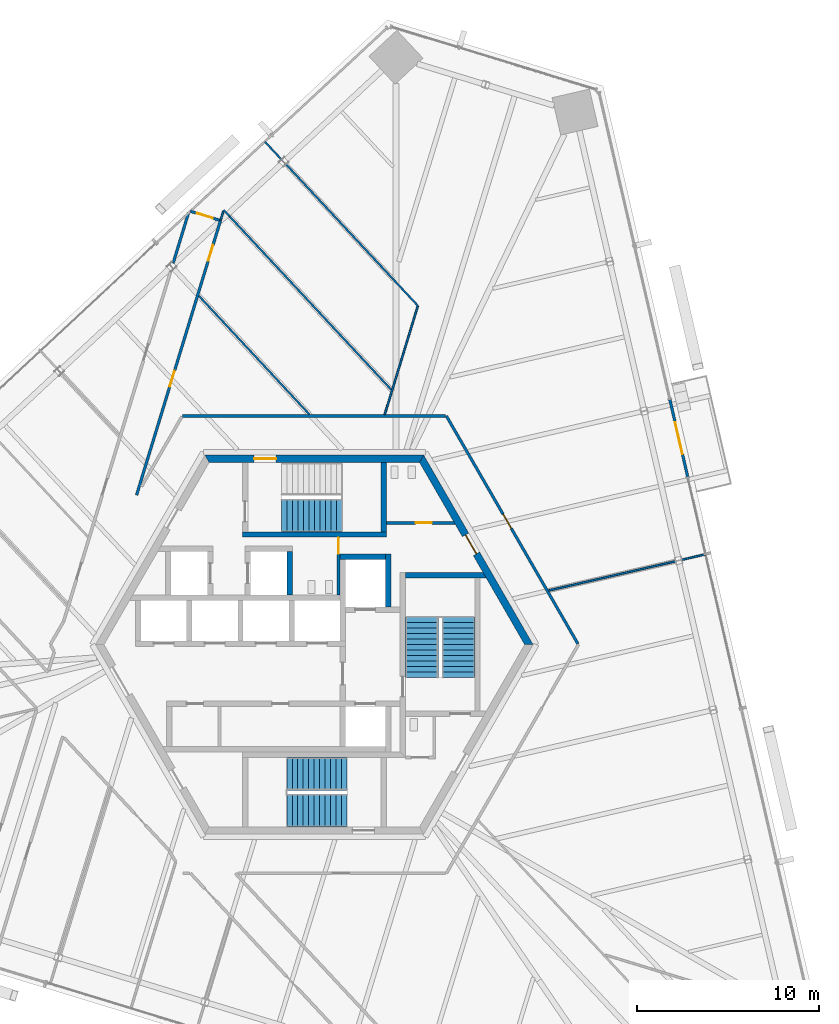
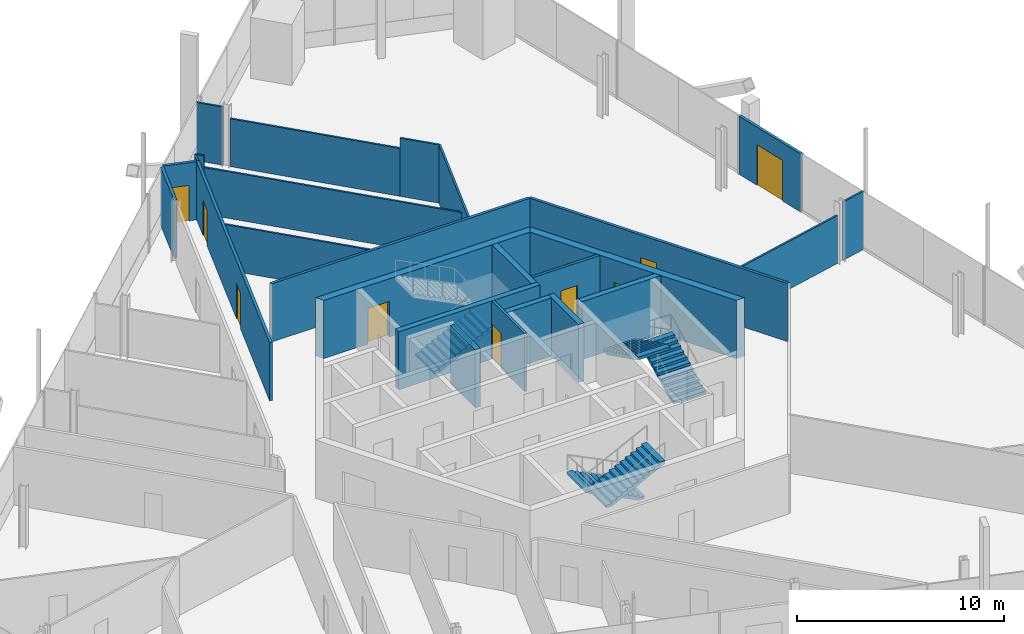
# One storey, part 15 of 23: 26 walls, 9 doors, 5 stair flights, 9 openings, 3 elements without a shape of their own.
"""IFC4 building model written with IfcOpenShell, lengths in metres."""

from ifc_helpers import new_model, si_unit, direction, frame, frame_2d, origin, place, context, subcontext, project, spatial, polyline, rectangle, outline, extrude, source, transform, mapped, material, layer, layer_set, type_object, element, fill, aggregate, save


model = new_model("IFC4")

# Units and contexts
model_context = context("Model", 3, precision=1e-05, world=origin(), true_north=direction((0.0, 1.0)))
body_context = subcontext(model_context, "Body", "Model", "MODEL_VIEW")
ifc_project = project(units=[si_unit("LENGTHUNIT", "METRE"), si_unit("AREAUNIT", "SQUARE_METRE"), si_unit("VOLUMEUNIT", "CUBIC_METRE"), si_unit("PLANEANGLEUNIT", "RADIAN"), si_unit("MASSUNIT", "GRAM", prefix="KILO")], contexts=[model_context])

# Site, building, storey
site_placement = place(None, origin())
site = spatial("IfcSite", under=ifc_project, at=site_placement, CompositionType="ELEMENT")
building_placement = place(site_placement, origin())
building = spatial("IfcBuilding", under=site, at=building_placement, Name="Triune Harvest Tower", CompositionType="ELEMENT")
storey_placement = place(building_placement, frame((0.0, 0.0, 105.5)))
storey = spatial("IfcBuildingStorey", under=building, at=storey_placement, Name="L26", CompositionType="ELEMENT", Elevation=105.5)

# Wall, opening, door
ifc_material_1 = material(Name="Gypsum board on steel studs", Category="steel")
ifc_layer_1 = layer(ifc_material_1, 0.14990234375)
ifc_layer_set_1 = layer_set([ifc_layer_1], Name="Gypsum board on steel studs")
wall_type_1 = type_object("IfcWallType", Name="Fire Partition 150 mm", PredefinedType="PARTITIONING", material=ifc_layer_set_1)
wall_1_placement = place(storey_placement, frame((-6.8037109375, 23.76953125, 0.0), z_axis=(0.0, 0.0, 1.0), x_axis=(0.956316476972, -0.292333364282, 0.0)))
wall_1 = element("IfcWall", 1, at=wall_1_placement, inside=storey, type_object=wall_type_1, Name="Partition L26 025", PredefinedType="PARTITIONING", context=body_context, shape_type="SweptSolid", body=[
    extrude(rectangle(XDim=1.674560546875, YDim=0.14990234375, at=frame_2d((0.83740234375, 0.0))), origin(), (0.0, 0.0, 1.0), 3.43994140625),
])
opening_1_placement = place(wall_1_placement, frame((0.384521484375, 0.0, 0.0)))
opening_1 = element("IfcOpeningElement", 2, at=opening_1_placement, cuts=wall_1, Name="Opening L26-004", PredefinedType="OPENING", context=body_context, shape_type="SweptSolid", body=[
    extrude(rectangle(XDim=0.89990234375, YDim=2.10009765625, at=frame_2d((0.449951171875, 1.050048828125))), frame((0.0, 0.0849609375, 0.0), z_axis=(0.0, -1.0, 0.0), x_axis=(1.0, 0.0, 0.0)), (0.0, 0.0, 1.0), 0.169921875),
])
ifc_material_2 = material(Name="Timber and steel door set", Category="steel")
door_type_1 = type_object("IfcDoorType", Name="Single leaf door FD30 left hand 900 x 2100", OperationType="SINGLE_SWING_LEFT", PredefinedType="DOOR", material=ifc_material_2)
door_1_placement = place(opening_1_placement, origin())
door_1 = element("IfcDoor", 3, at=door_1_placement, inside=storey, type_object=door_type_1, Name="Door L26-004 Pantry 26.04", OperationType="SINGLE_SWING_LEFT", OverallHeight=2.10009765625, OverallWidth=0.89990234375, PredefinedType="DOOR", context=body_context, shape_type="SweptSolid", body=[
    extrude(rectangle(XDim=0.89990234375, YDim=2.10009765625, at=frame_2d((0.449951171875, 1.050048828125))), frame((0.0, 0.02490234375, 0.0), z_axis=(0.0, -1.0, 0.0), x_axis=(1.0, 0.0, 0.0)), (0.0, 0.0, 1.0), 0.050048828125),
])
fill(opening_1, door_1)

# Wall, openings, doors
wall_2_placement = place(storey_placement, frame((-9.75, 8.2001953125, 0.0), z_axis=(0.0, 0.0, 1.0), x_axis=(0.292356758053, 0.956309325491, 0.0)))
wall_2 = element("IfcWall", 4, at=wall_2_placement, inside=storey, type_object=wall_type_1, Name="Partition L26 044", PredefinedType="PARTITIONING", context=body_context, shape_type="SweptSolid", body=[
    extrude(rectangle(XDim=15.75048828125, YDim=0.14990234375, at=frame_2d((7.875244140625, 0.0))), origin(), (0.0, 0.0, 1.0), 3.43994140625),
])
opening_2_placement = place(wall_2_placement, frame((13.4423828125, 0.0, 0.0)))
opening_2 = element("IfcOpeningElement", 5, at=opening_2_placement, cuts=wall_2, Name="Opening L26-003", PredefinedType="OPENING", context=body_context, shape_type="SweptSolid", body=[
    extrude(rectangle(XDim=0.89990234375, YDim=2.10009765625, at=frame_2d((0.449951171875, 1.050048828125))), frame((0.0, 0.0849609375, 0.0), z_axis=(0.0, -1.0, 0.0), x_axis=(1.0, 0.0, 0.0)), (0.0, 0.0, 1.0), 0.169921875),
])
opening_3_placement = place(wall_2_placement, frame((6.226318359375, 0.0, 0.0)))
opening_3 = element("IfcOpeningElement", 6, at=opening_3_placement, cuts=wall_2, Name="Opening L26-006", PredefinedType="OPENING", context=body_context, shape_type="SweptSolid", body=[
    extrude(rectangle(XDim=0.89990234375, YDim=2.10009765625, at=frame_2d((0.449951171875, 1.050048828125))), frame((0.0, 0.0849609375, 0.0), z_axis=(0.0, -1.0, 0.0), x_axis=(1.0, 0.0, 0.0)), (0.0, 0.0, 1.0), 0.169921875),
])
door_2_placement = place(opening_2_placement, origin())
door_2 = element("IfcDoor", 7, at=door_2_placement, inside=storey, type_object=door_type_1, Name="Door L26-003 Project Room 26.03", OperationType="SINGLE_SWING_LEFT", OverallHeight=2.10009765625, OverallWidth=0.89990234375, PredefinedType="DOOR", context=body_context, shape_type="SweptSolid", body=[
    extrude(rectangle(XDim=0.89990234375, YDim=2.10009765625, at=frame_2d((0.449951171875, 1.050048828125))), frame((0.0, 0.02490234375, 0.0), z_axis=(0.0, -1.0, 0.0), x_axis=(1.0, 0.0, 0.0)), (0.0, 0.0, 1.0), 0.050048828125),
])
fill(opening_2, door_2)
ifc_material_3 = material(Name="Timber and steel door set", Category="steel")
door_type_2 = type_object("IfcDoorType", Name="Single leaf door FD30 right hand 900 x 2100", OperationType="SINGLE_SWING_RIGHT", PredefinedType="DOOR", material=ifc_material_3)
door_3_placement = place(opening_3_placement, origin())
door_3 = element("IfcDoor", 8, at=door_3_placement, inside=storey, type_object=door_type_2, Name="Door L26-006 Office 26.06", OperationType="SINGLE_SWING_RIGHT", OverallHeight=2.10009765625, OverallWidth=0.89990234375, PredefinedType="DOOR", context=body_context, shape_type="SweptSolid", body=[
    extrude(rectangle(XDim=0.89990234375, YDim=2.10009765625, at=frame_2d((0.449951171875, 1.050048828125))), frame((0.0, 0.02490234375, 0.0), z_axis=(0.0, -1.0, 0.0), x_axis=(1.0, 0.0, 0.0)), (0.0, 0.0, 1.0), 0.050048828125),
])
fill(opening_3, door_3)

# Walls
ifc_material_4 = material(Name="Gypsum board on steel studs", Category="steel")
ifc_layer_2 = layer(ifc_material_4, 0.10009765625)
ifc_layer_set_2 = layer_set([ifc_layer_2], Name="Gypsum board on steel studs")
wall_type_2 = type_object("IfcWallType", Name="Partition 100 mm", PredefinedType="PARTITIONING", material=ifc_layer_set_2)
wall_3_placement = place(storey_placement, frame((-4.9697265625, 23.836181640625, 0.0), z_axis=(0.0, 0.0, 1.0), x_axis=(0.682206914236, -0.731159166097, 0.0)))
element("IfcWall", 9, at=wall_3_placement, inside=storey, type_object=wall_type_2, Name="Partition L26 018", PredefinedType="PARTITIONING", context=body_context, shape_type="SweptSolid", body=[
    extrude(rectangle(XDim=0.46875, YDim=0.10009765625, at=frame_2d((0.234375, 0.0))), origin(), (0.0, 0.0, 1.0), 3.43994140625),
])
wall_4_placement = place(storey_placement, frame((-4.64990234375, 23.493408203125, 0.0), z_axis=(0.0, 0.0, 1.0), x_axis=(0.681992633426, -0.731359041752, 0.0)))
element("IfcWall", 10, at=wall_4_placement, inside=storey, type_object=wall_type_2, Name="Partition L26 018a", PredefinedType="PARTITIONING", context=body_context, shape_type="SweptSolid", body=[
    extrude(rectangle(XDim=13.06591796875, YDim=0.10009765625, at=frame_2d((6.532958984375, 0.0))), origin(), (0.0, 0.0, 1.0), 2.7568359375),
])
wall_5_placement = place(storey_placement, frame((3.85498046875, 12.609130859375, 0.0), z_axis=(0.0, 0.0, 1.0), x_axis=(0.292357980238, 0.956308951852, 0.0)))
element("IfcWall", 11, at=wall_5_placement, inside=storey, type_object=wall_type_2, Name="Partition L26 039", PredefinedType="PARTITIONING", context=body_context, shape_type="SweptSolid", body=[
    extrude(rectangle(XDim=6.22705078125, YDim=0.10009765625, at=frame_2d((3.113525390625, 0.0))), origin(), (0.0, 0.0, 1.0), 3.43994140625),
])
wall_6_placement = place(storey_placement, frame((-5.14501953125, 23.262939453125, 0.0), z_axis=(0.0, 0.0, 1.0), x_axis=(0.292528662216, 0.956256755156, 0.0)))
element("IfcWall", 12, at=wall_6_placement, inside=storey, type_object=wall_type_2, Name="Partition L26 045", PredefinedType="PARTITIONING", context=body_context, shape_type="SweptSolid", body=[
    extrude(rectangle(XDim=0.5400390625, YDim=0.10009765625, at=frame_2d((0.27001953125, 0.0))), origin(), (0.0, 0.0, 1.0), 3.43994140625),
])

# Wall, opening, door
ifc_material_5 = material(Name="Concrete 70 MPa", Category="concrete")
ifc_layer_3 = layer(ifc_material_5, 0.39990234375)
ifc_layer_set_3 = layer_set([ifc_layer_3], Name="Concrete 70 MPa")
wall_type_3 = type_object("IfcWallType", Name="Core wall 400", PredefinedType="SHEAR", material=ifc_layer_set_3)
shared_shape_1 = source(origin(), body_context, "Body", "SweptSolid", [
    extrude(outline(polyline([(-0.115478515625, -0.199951171875), (11.884521484375, -0.199951171875), (11.653564453125, 0.199951171875), (0.115478515625, 0.199951171875), (-0.115478515625, -0.199951171875)])), origin(), (0.0, 0.0, 1.0), 3.43994140625),
])
wall_7_placement = place(storey_placement, frame((11.76904296875, 0.0, 0.0), z_axis=(0.0, 0.0, 1.0), x_axis=(-0.499996592174, 0.866027371285, 0.0)))
wall_7 = element("IfcWall", 13, at=wall_7_placement, inside=storey, type_object=wall_type_3, Name="Hexagon 0 wall", PredefinedType="SHEAR", context=body_context, shape_type="MappedRepresentation", body=[
    mapped(shared_shape_1, transform((0.0, 0.0, 0.0), scale=1.0)),
])
opening_4_placement = place(wall_7_placement, frame((5.75048828125, 0.0, 0.0)))
opening_4 = element("IfcOpeningElement", 14, at=opening_4_placement, cuts=wall_7, Name="Opening CD-WCP", PredefinedType="OPENING", context=body_context, shape_type="SweptSolid", body=[
    extrude(rectangle(XDim=1.199951171875, YDim=2.10009765625, at=frame_2d((0.60009765625, 1.050048828125))), frame((0.0, 0.2099609375, 0.0), z_axis=(0.0, -1.0, 0.0), x_axis=(1.0, 0.0, 0.0)), (0.0, 0.0, 1.0), 0.419921875),
])
ifc_material_6 = material(Name="Steel S235", Category="steel")
door_type_3 = type_object("IfcDoorType", Name="Lobby door 1200 FD120", OperationType="SINGLE_SWING_LEFT", PredefinedType="DOOR", material=ifc_material_6)
door_4_placement = place(opening_4_placement, frame((1.199951171875, 0.0, 0.0), z_axis=(0.0, 0.0, 1.0), x_axis=(-1.0, 0.0, 0.0)))
door_4 = element("IfcDoor", 15, at=door_4_placement, inside=storey, type_object=door_type_3, Name="Door CD-WCP", OperationType="SINGLE_SWING_RIGHT", OverallHeight=2.10009765625, OverallWidth=1.199951171875, PredefinedType="DOOR", context=body_context, shape_type="SweptSolid", body=[
    extrude(rectangle(XDim=1.199951171875, YDim=2.10009765625, at=frame_2d((0.60009765625, 1.050048828125))), frame((0.0, 0.02490234375, 0.0), z_axis=(0.0, -1.0, 0.0), x_axis=(1.0, 0.0, 0.0)), (0.0, 0.0, 1.0), 0.050048828125),
])
fill(opening_4, door_4)

wall_8_placement = place(storey_placement, frame((5.884521484375, 10.1923828125, 0.0), z_axis=(0.0, 0.0, 1.0), x_axis=(-1.0, 0.0, 0.0)))
wall_8 = element("IfcWall", 16, at=wall_8_placement, inside=storey, type_object=wall_type_3, Name="Hexagon 1 wall", PredefinedType="SHEAR", context=body_context, shape_type="MappedRepresentation", body=[
    mapped(shared_shape_1, transform((0.0, 0.0, 0.0), scale=1.0)),
])
opening_5_placement = place(wall_8_placement, frame((7.984619140625, 0.0, 0.0)))
opening_5 = element("IfcOpeningElement", 17, at=opening_5_placement, cuts=wall_8, Name="Opening CD-S1P", PredefinedType="OPENING", context=body_context, shape_type="SweptSolid", body=[
    extrude(rectangle(XDim=1.199951171875, YDim=2.10009765625, at=frame_2d((0.60009765625, 1.050048828125))), frame((0.0, 0.2099609375, 0.0), z_axis=(0.0, -1.0, 0.0), x_axis=(1.0, 0.0, 0.0)), (0.0, 0.0, 1.0), 0.419921875),
])
ifc_material_7 = material(Name="Steel S235", Category="steel")
door_type_4 = type_object("IfcDoorType", Name="Stair door 1200 FD120", OperationType="SINGLE_SWING_LEFT", PredefinedType="DOOR", material=ifc_material_7)
door_5_placement = place(opening_5_placement, frame((1.199951171875, 0.0, 0.0), z_axis=(0.0, 0.0, 1.0), x_axis=(-1.0, 0.0, 0.0)))
door_5 = element("IfcDoor", 18, at=door_5_placement, inside=storey, type_object=door_type_4, Name="Door CD-S1P", OperationType="SINGLE_SWING_RIGHT", OverallHeight=2.10009765625, OverallWidth=1.199951171875, PredefinedType="DOOR", context=body_context, shape_type="SweptSolid", body=[
    extrude(rectangle(XDim=1.199951171875, YDim=2.10009765625, at=frame_2d((0.60009765625, 1.050048828125))), frame((0.0, 0.02490234375, 0.0), z_axis=(0.0, -1.0, 0.0), x_axis=(1.0, 0.0, 0.0)), (0.0, 0.0, 1.0), 0.050048828125),
])
fill(opening_5, door_5)

# Walls
ifc_material_8 = material(Name="Concrete 70 MPa", Category="concrete")
ifc_layer_4 = layer(ifc_material_8, 0.300048828125)
ifc_layer_set_4 = layer_set([ifc_layer_4], Name="Concrete 70 MPa")
wall_type_4 = type_object("IfcWallType", Name="Core wall 300", PredefinedType="SHEAR", material=ifc_layer_set_4)
shared_shape_2 = source(origin(), body_context, "Body", "SweptSolid", [
    extrude(rectangle(XDim=2.5, YDim=0.300048828125, at=frame_2d((1.25, 0.0))), origin(), (0.0, 0.0, 1.0), 3.43994140625),
])
wall_9_placement = place(storey_placement, frame((1.39990234375, 4.81005859375, 0.0), z_axis=(0.0, 0.0, 1.0), x_axis=(1.0, 0.0, 0.0)))
element("IfcWall", 19, at=wall_9_placement, inside=storey, type_object=wall_type_4, Name="Ff1 back wall", PredefinedType="SHEAR", context=body_context, shape_type="MappedRepresentation", body=[
    mapped(shared_shape_2, transform((0.0, 0.0, 0.0), scale=1.0)),
])
shared_shape_3 = source(origin(), body_context, "Body", "SweptSolid", [
    extrude(rectangle(XDim=2.89990234375, YDim=0.300048828125, at=frame_2d((1.449951171875, 0.0))), origin(), (0.0, 0.0, 1.0), 3.43994140625),
])
wall_10_placement = place(storey_placement, frame((4.050048828125, 2.06005859375, 0.0), z_axis=(0.0, 0.0, 1.0), x_axis=(0.0, 1.0, 0.0)))
element("IfcWall", 20, at=wall_10_placement, inside=storey, type_object=wall_type_4, Name="Ff1 east wall", PredefinedType="SHEAR", context=body_context, shape_type="MappedRepresentation", body=[
    mapped(shared_shape_3, transform((0.0, 0.0, 0.0), scale=1.0)),
])
shared_shape_4 = source(origin(), body_context, "Body", "SweptSolid", [
    extrude(outline(polyline([(0.0, -0.14990234375), (0.0, 0.14990234375), (4.260009765625, 0.14990234375), (4.43310546875, -0.14990234375), (0.0, -0.14990234375)])), origin(), (0.0, 0.0, 1.0), 3.43994140625),
])
wall_11_placement = place(storey_placement, frame((5.0, 3.800048828125, 0.0), z_axis=(0.0, 0.0, 1.0), x_axis=(1.0, 0.0, 0.0)))
element("IfcWall", 21, at=wall_11_placement, inside=storey, type_object=wall_type_4, Name="Stair e north wall", PredefinedType="SHEAR", context=body_context, shape_type="MappedRepresentation", body=[
    mapped(shared_shape_4, transform((0.0, 0.0, 0.0), scale=1.0)),
])
shared_shape_5 = source(origin(), body_context, "Body", "SweptSolid", [
    extrude(rectangle(XDim=7.89990234375, YDim=0.300048828125, at=frame_2d((3.949951171875, 0.0))), origin(), (0.0, 0.0, 1.0), 3.43994140625),
])
wall_12_placement = place(storey_placement, frame((-3.949951171875, 6.0400390625, 0.0), z_axis=(0.0, 0.0, 1.0), x_axis=(1.0, 0.0, 0.0)))
element("IfcWall", 22, at=wall_12_placement, inside=storey, type_object=wall_type_4, Name="Stair n south wall", PredefinedType="SHEAR", context=body_context, shape_type="MappedRepresentation", body=[
    mapped(shared_shape_5, transform((0.0, 0.0, 0.0), scale=1.0)),
])
shared_shape_6 = source(origin(), body_context, "Body", "SweptSolid", [
    extrude(outline(polyline([(0.0, -0.14990234375), (0.0, 0.14990234375), (3.80419921875, 0.14990234375), (3.80419921875, -0.14990234375), (0.0, -0.14990234375)])), origin(), (0.0, 0.0, 1.0), 3.43994140625),
])
wall_13_placement = place(storey_placement, frame((3.800048828125, 6.18994140625, 0.0), z_axis=(0.0, 0.0, 1.0), x_axis=(0.0, 1.0, 0.0)))
element("IfcWall", 23, at=wall_13_placement, inside=storey, type_object=wall_type_4, Name="Stair n east wall", PredefinedType="SHEAR", context=body_context, shape_type="MappedRepresentation", body=[
    mapped(shared_shape_6, transform((0.0, 0.0, 0.0), scale=1.0)),
])
shared_shape_7 = source(origin(), body_context, "Body", "SweptSolid", [
    extrude(rectangle(XDim=2.400146484375, YDim=0.300048828125, at=frame_2d((1.2001953125, 0.0))), origin(), (0.0, 0.0, 1.0), 3.43994140625),
])
wall_14_placement = place(storey_placement, frame((-1.35009765625, 2.7099609375, 0.0), z_axis=(0.0, 0.0, 1.0), x_axis=(0.0, 1.0, 0.0)))
element("IfcWall", 24, at=wall_14_placement, inside=storey, type_object=wall_type_4, Name="Sv2 east wall", PredefinedType="SHEAR", context=body_context, shape_type="MappedRepresentation", body=[
    mapped(shared_shape_7, transform((0.0, 0.0, 0.0), scale=1.0)),
])

# Wall, opening, door
ifc_material_9 = material(Name="Concrete masonry unit", Category="masonry")
ifc_layer_5 = layer(ifc_material_9, 0.14990234375)
ifc_layer_set_5 = layer_set([ifc_layer_5], Name="Concrete masonry unit")
wall_type_5 = type_object("IfcWallType", Name="Block partition 150 unrated", PredefinedType="PARTITIONING", material=ifc_layer_set_5)
shared_shape_8 = source(origin(), body_context, "Body", "SweptSolid", [
    extrude(rectangle(XDim=3.179931640625, YDim=0.14990234375, at=frame_2d((1.58984375, 0.0))), origin(), (0.0, 0.0, 1.0), 3.43994140625),
])
wall_15_placement = place(storey_placement, frame((1.324951171875, 2.7099609375, 0.0), z_axis=(0.0, 0.0, 1.0), x_axis=(0.0, 1.0, 0.0)))
wall_15 = element("IfcWall", 25, at=wall_15_placement, inside=storey, type_object=wall_type_5, Name="Wc men east wall", PredefinedType="PARTITIONING", context=body_context, shape_type="MappedRepresentation", body=[
    mapped(shared_shape_8, transform((0.0, 0.0, 0.0), scale=1.0)),
])
opening_6_placement = place(wall_15_placement, frame((2.264892578125, 0.0, 0.0)))
opening_6 = element("IfcOpeningElement", 26, at=opening_6_placement, cuts=wall_15, Name="Opening CD-WM", PredefinedType="OPENING", context=body_context, shape_type="SweptSolid", body=[
    extrude(rectangle(XDim=0.89990234375, YDim=2.10009765625, at=frame_2d((0.449951171875, 1.050048828125))), frame((0.0, 0.0849609375, 0.0), z_axis=(0.0, -1.0, 0.0), x_axis=(1.0, 0.0, 0.0)), (0.0, 0.0, 1.0), 0.169921875),
])
ifc_material_10 = material(Name="Timber C24", Category="wood")
door_type_5 = type_object("IfcDoorType", Name="WC door 900", OperationType="SINGLE_SWING_LEFT", PredefinedType="DOOR", material=ifc_material_10)
door_6_placement = place(opening_6_placement, origin())
door_6 = element("IfcDoor", 27, at=door_6_placement, inside=storey, type_object=door_type_5, Name="Door CD-WM", OperationType="SINGLE_SWING_LEFT", OverallHeight=2.10009765625, OverallWidth=0.89990234375, PredefinedType="DOOR", context=body_context, shape_type="SweptSolid", body=[
    extrude(rectangle(XDim=0.89990234375, YDim=2.10009765625, at=frame_2d((0.449951171875, 1.050048828125))), frame((0.0, 0.02490234375, 0.0), z_axis=(0.0, -1.0, 0.0), x_axis=(1.0, 0.0, 0.0)), (0.0, 0.0, 1.0), 0.050048828125),
])
fill(opening_6, door_6)

shared_shape_9 = source(origin(), body_context, "Body", "SweptSolid", [
    extrude(outline(polyline([(0.0, -0.074951171875), (0.0, 0.074951171875), (3.693359375, 0.074951171875), (3.77978515625, -0.074951171875), (0.0, -0.074951171875)])), origin(), (0.0, 0.0, 1.0), 3.43994140625),
])
wall_16_placement = place(storey_placement, frame((3.949951171875, 6.675048828125, 0.0), z_axis=(0.0, 0.0, 1.0), x_axis=(1.0, 0.0, 0.0)))
wall_16 = element("IfcWall", 28, at=wall_16_placement, inside=storey, type_object=wall_type_5, Name="Wc women south wall", PredefinedType="PARTITIONING", context=body_context, shape_type="MappedRepresentation", body=[
    mapped(shared_shape_9, transform((0.0, 0.0, 0.0), scale=1.0)),
])
opening_7_placement = place(wall_16_placement, frame((1.60009765625, 0.0, 0.0)))
opening_7 = element("IfcOpeningElement", 29, at=opening_7_placement, cuts=wall_16, Name="Opening CD-WW", PredefinedType="OPENING", context=body_context, shape_type="SweptSolid", body=[
    extrude(rectangle(XDim=0.89990234375, YDim=2.10009765625, at=frame_2d((0.449951171875, 1.050048828125))), frame((0.0, 0.0849609375, 0.0), z_axis=(0.0, -1.0, 0.0), x_axis=(1.0, 0.0, 0.0)), (0.0, 0.0, 1.0), 0.169921875),
])
door_7_placement = place(opening_7_placement, origin())
door_7 = element("IfcDoor", 30, at=door_7_placement, inside=storey, type_object=door_type_5, Name="Door CD-WW", OperationType="SINGLE_SWING_LEFT", OverallHeight=2.10009765625, OverallWidth=0.89990234375, PredefinedType="DOOR", context=body_context, shape_type="SweptSolid", body=[
    extrude(rectangle(XDim=0.89990234375, YDim=2.10009765625, at=frame_2d((0.449951171875, 1.050048828125))), frame((0.0, 0.02490234375, 0.0), z_axis=(0.0, -1.0, 0.0), x_axis=(1.0, 0.0, 0.0)), (0.0, 0.0, 1.0), 0.050048828125),
])
fill(opening_7, door_7)

ifc_material_11 = material(Name="Aluminium bronze anodised", Category="aluminium")
ifc_layer_6 = layer(ifc_material_11, 0.14990234375)
ifc_layer_set_6 = layer_set([ifc_layer_6], Name="Aluminium bronze anodised")
wall_type_6 = type_object("IfcWallType", Name="WW-2 balcony window wall", PredefinedType="ELEMENTEDWALL", material=ifc_layer_set_6)
shared_shape_10 = source(origin(), body_context, "Body", "SweptSolid", [
    extrude(rectangle(XDim=4.353515625, YDim=0.14990234375, at=frame_2d((2.1767578125, 0.0))), origin(), (0.0, 0.0, 1.0), 3.43994140625),
])
wall_17_placement = place(storey_placement, frame((19.501220703125, 13.43798828125, 0.0), z_axis=(0.0, 0.0, 1.0), x_axis=(0.224933228004, -0.974374180148, 0.0)))
wall_17 = element("IfcWall", 31, at=wall_17_placement, inside=storey, type_object=wall_type_6, Name="WW-2 B3-F1 L26.8", PredefinedType="ELEMENTEDWALL", context=body_context, shape_type="MappedRepresentation", body=[
    mapped(shared_shape_10, transform((0.0, 0.0, 0.0), scale=1.0)),
])
opening_8_placement = place(wall_17_placement, frame((1.276611328125, 0.0, 0.0)))
opening_8 = element("IfcOpeningElement", 32, at=opening_8_placement, cuts=wall_17, Name="Opening L26-E01", PredefinedType="OPENING", context=body_context, shape_type="SweptSolid", body=[
    extrude(rectangle(XDim=1.800048828125, YDim=2.39990234375, at=frame_2d((0.89990234375, 1.199951171875))), frame((0.0, 0.0849609375, 0.0), z_axis=(0.0, -1.0, 0.0), x_axis=(1.0, 0.0, 0.0)), (0.0, 0.0, 1.0), 0.169921875),
])
ifc_material_12 = material(Name="Glass", Category="glass")
door_type_6 = type_object("IfcDoorType", Name="DB-1 balcony door 1800 x 2400", OperationType="DOUBLE_DOOR_SINGLE_SWING", PredefinedType="DOOR", material=ifc_material_12)
door_8_placement = place(opening_8_placement, origin())
door_8 = element("IfcDoor", 33, at=door_8_placement, inside=storey, type_object=door_type_6, Name="Door L26-E01", OperationType="DOUBLE_DOOR_SINGLE_SWING", OverallHeight=2.39990234375, OverallWidth=1.800048828125, PredefinedType="DOOR", context=body_context, shape_type="SweptSolid", body=[
    extrude(rectangle(XDim=1.800048828125, YDim=2.39990234375, at=frame_2d((0.89990234375, 1.199951171875))), frame((0.0, 0.02490234375, 0.0), z_axis=(0.0, -1.0, 0.0), x_axis=(1.0, 0.0, 0.0)), (0.0, 0.0, 1.0), 0.050048828125),
])
fill(opening_8, door_8)

shared_shape_11 = source(origin(), body_context, "Body", "SweptSolid", [
    extrude(rectangle(XDim=14.4326171875, YDim=0.14990234375, at=frame_2d((7.21630859375, 0.0))), origin(), (0.0, 0.0, 1.0), 3.43994140625),
])
wall_18_placement = place(storey_placement, frame((7.2412109375, 12.542236328125, 0.0), z_axis=(0.0, 0.0, 1.0), x_axis=(0.499999690675, -0.866025582373, 0.0)))
wall_18 = element("IfcWall", 34, at=wall_18_placement, inside=storey, type_object=wall_type_1, Name="Partition L26 003", PredefinedType="PARTITIONING", context=body_context, shape_type="MappedRepresentation", body=[
    mapped(shared_shape_11, transform((0.0, 0.0, 0.0), scale=1.0)),
])
opening_9_placement = place(wall_18_placement, frame((6.225830078125, 0.0, 0.0)))
opening_9 = element("IfcOpeningElement", 35, at=opening_9_placement, cuts=wall_18, Name="Opening L26-002", PredefinedType="OPENING", context=body_context, shape_type="SweptSolid", body=[
    extrude(rectangle(XDim=0.89990234375, YDim=2.10009765625, at=frame_2d((0.449951171875, 1.050048828125))), frame((0.0, 0.0849609375, 0.0), z_axis=(0.0, -1.0, 0.0), x_axis=(1.0, 0.0, 0.0)), (0.0, 0.0, 1.0), 0.169921875),
])
door_9_placement = place(opening_9_placement, origin())
door_9 = element("IfcDoor", 36, at=door_9_placement, inside=storey, type_object=door_type_1, Name="Door L26-002 Open Office 26.02", OperationType="SINGLE_SWING_LEFT", OverallHeight=2.10009765625, OverallWidth=0.89990234375, PredefinedType="DOOR", context=body_context, shape_type="SweptSolid", body=[
    extrude(rectangle(XDim=0.89990234375, YDim=2.10009765625, at=frame_2d((0.449951171875, 1.050048828125))), frame((0.0, 0.02490234375, 0.0), z_axis=(0.0, -1.0, 0.0), x_axis=(1.0, 0.0, 0.0)), (0.0, 0.0, 1.0), 0.050048828125),
])
fill(opening_9, door_9)

# Walls
wall_19_placement = place(storey_placement, frame((-7.2412109375, 12.542236328125, 0.0), z_axis=(0.0, 0.0, 1.0), x_axis=(1.0, 0.0, 0.0)))
element("IfcWall", 37, at=wall_19_placement, inside=storey, type_object=wall_type_1, Name="Partition L26 028", PredefinedType="PARTITIONING", context=body_context, shape_type="MappedRepresentation", body=[
    mapped(shared_shape_11, transform((0.0, 0.0, 0.0), scale=1.0)),
])
shared_shape_12 = source(origin(), body_context, "Body", "SweptSolid", [
    extrude(rectangle(XDim=2.887939453125, YDim=0.14990234375, at=frame_2d((1.44384765625, 0.0))), origin(), (0.0, 0.0, 1.0), 3.43994140625),
])
wall_20_placement = place(storey_placement, frame((-7.744140625, 20.91845703125, 0.0), z_axis=(0.0, 0.0, 1.0), x_axis=(0.292338810171, 0.956314812218, 0.0)))
element("IfcWall", 38, at=wall_20_placement, inside=storey, type_object=wall_type_1, Name="Partition L26 049", PredefinedType="PARTITIONING", context=body_context, shape_type="MappedRepresentation", body=[
    mapped(shared_shape_12, transform((0.0, 0.0, 0.0), scale=1.0)),
])
shared_shape_13 = source(origin(), body_context, "Body", "SweptSolid", [
    extrude(rectangle(XDim=1.338134765625, YDim=0.10009765625, at=frame_2d((0.6689453125, 0.0))), origin(), (0.0, 0.0, 1.0), 3.43994140625),
])
for number, where, z_axis, x_axis, name in (
    (39, (-2.71240234375, 27.584716796875, 0.0), (0.0, 0.0, 1.0), (0.68204515899, -0.731310058114, 0.0), "Partition L26 019"),
    (40, (20.156005859375, 4.6533203125, 0.0), (0.0, 0.0, 1.0), (0.974363511026, 0.224979439906, 0.0), "Partition L26 032"),
):
    element("IfcWall", number, at=place(storey_placement, frame(where, z_axis=z_axis, x_axis=x_axis)), inside=storey, type_object=wall_type_2, Name=name, PredefinedType="PARTITIONING", context=body_context, shape_type="MappedRepresentation", body=[
        mapped(shared_shape_13, transform((0.0, 0.0, 0.0), scale=1.0)),
    ])
shared_shape_14 = source(origin(), body_context, "Body", "SweptSolid", [
    extrude(rectangle(XDim=8.8798828125, YDim=0.10009765625, at=frame_2d((4.43994140625, 0.0))), origin(), (0.0, 0.0, 1.0), 2.68310546875),
])
wall_21_placement = place(storey_placement, frame((-6.32861328125, 19.12451171875, 0.0), z_axis=(0.0, 0.0, 1.0), x_axis=(0.682000804038, -0.731351422568, 0.0)))
element("IfcWall", 41, at=wall_21_placement, inside=storey, type_object=wall_type_2, Name="Partition L26 017", PredefinedType="PARTITIONING", context=body_context, shape_type="MappedRepresentation", body=[
    mapped(shared_shape_14, transform((0.0, 0.0, 0.0), scale=1.0)),
])
shared_shape_15 = source(origin(), body_context, "Body", "SweptSolid", [
    extrude(rectangle(XDim=8.61767578125, YDim=0.10009765625, at=frame_2d((4.308837890625, 0.0))), origin(), (0.0, 0.0, 1.0), 2.827880859375),
])
wall_22_placement = place(storey_placement, frame((-1.5537109375, 26.342041015625, 0.0), z_axis=(0.0, 0.0, 1.0), x_axis=(0.682000224703, -0.731351962809, 0.0)))
element("IfcWall", 42, at=wall_22_placement, inside=storey, type_object=wall_type_2, Name="Partition L26 020", PredefinedType="PARTITIONING", context=body_context, shape_type="MappedRepresentation", body=[
    mapped(shared_shape_15, transform((0.0, 0.0, 0.0), scale=1.0)),
])
shared_shape_16 = source(origin(), body_context, "Body", "SweptSolid", [
    extrude(rectangle(XDim=7.139892578125, YDim=0.10009765625, at=frame_2d((3.56982421875, 0.0))), origin(), (0.0, 0.0, 1.0), 2.827880859375),
])
wall_23_placement = place(storey_placement, frame((12.847412109375, 2.9658203125, 0.0), z_axis=(0.0, 0.0, 1.0), x_axis=(0.974366985085, 0.224964393573, 0.0)))
element("IfcWall", 43, at=wall_23_placement, inside=storey, type_object=wall_type_2, Name="Partition L26 031", PredefinedType="PARTITIONING", context=body_context, shape_type="MappedRepresentation", body=[
    mapped(shared_shape_16, transform((0.0, 0.0, 0.0), scale=1.0)),
])
shared_shape_17 = source(origin(), body_context, "Body", "SweptSolid", [
    extrude(rectangle(XDim=1.9912109375, YDim=0.10009765625, at=frame_2d((0.99560546875, 0.0))), origin(), (0.0, 0.0, 1.0), 3.43994140625),
])
wall_24_placement = place(storey_placement, frame((4.323486328125, 20.03955078125, 0.0), z_axis=(0.0, 0.0, 1.0), x_axis=(0.681968684126, -0.731381373752, 0.0)))
element("IfcWall", 44, at=wall_24_placement, inside=storey, type_object=wall_type_2, Name="Partition L26 020a", PredefinedType="PARTITIONING", context=body_context, shape_type="MappedRepresentation", body=[
    mapped(shared_shape_17, transform((0.0, 0.0, 0.0), scale=1.0)),
])

# Stair, stair flight
ifc_material_13 = material(Name="Concrete 40 MPa", Category="concrete")
stair_type = type_object("IfcStairType", Name="Exit stair 1800 half turn", PredefinedType="HALF_TURN_STAIR", material=ifc_material_13)
stair_1_placement = place(storey_placement, origin())
stair_1 = element("IfcStair", 45, at=stair_1_placement, inside=storey, type_object=stair_type, Name="Exit stair north", PredefinedType="HALF_TURN_STAIR")
ifc_material_14 = material(Name="Concrete 40 MPa", Category="concrete")
stair_flight_type = type_object("IfcStairFlightType", Name="Stair flight 1800", PredefinedType="STRAIGHT", material=ifc_material_14)
shared_shape_18 = source(origin(), body_context, "Body", "SweptSolid", [
    extrude(outline(polyline([(0.0, 0.0), (0.0, 0.14990234375), (0.300048828125, 0.14990234375), (0.300048828125, 0.300048828125), (0.60009765625, 0.300048828125), (0.60009765625, 0.449951171875), (0.89990234375, 0.449951171875), (0.89990234375, 0.60009765625), (1.199951171875, 0.60009765625), (1.199951171875, 0.75), (1.5, 0.75), (1.5, 0.89990234375), (1.800048828125, 0.89990234375), (1.800048828125, 1.050048828125), (2.10009765625, 1.050048828125), (2.10009765625, 1.199951171875), (2.39990234375, 1.199951171875), (2.39990234375, 1.35009765625), (2.699951171875, 1.35009765625), (2.699951171875, 1.5), (3.0, 1.5), (3.0, 1.64990234375), (3.300048828125, 1.64990234375), (3.300048828125, 1.800048828125), (3.300048828125, 1.482421875), (0.335205078125, 0.0), (0.0, 0.0)])), frame((0.0, 0.89990234375, 0.0), z_axis=(0.0, -1.0, 0.0), x_axis=(1.0, 0.0, 0.0)), (0.0, 0.0, 1.0), 1.800048828125),
])
stair_flight_1_placement = place(storey_placement, frame((-1.7900390625, 7.090087890625, 0.0), z_axis=(0.0, 0.0, 1.0), x_axis=(1.0, 0.0, 0.0)))
stair_flight_1 = element("IfcStairFlight", 46, at=stair_flight_1_placement, type_object=stair_flight_type, Name="ST-1 flight 1", NumberOfRisers=12, NumberOfTreads=11, PredefinedType="STRAIGHT", RiserHeight=0.15, TreadLength=0.3, context=body_context, shape_type="MappedRepresentation", body=[
    mapped(shared_shape_18, transform((0.0, 0.0, 0.0), scale=1.0)),
])
aggregate(stair_1, [stair_flight_1])

# Stair, stair flights
stair_2_placement = place(storey_placement, origin())
stair_2 = element("IfcStair", 47, at=stair_2_placement, inside=storey, type_object=stair_type, Name="Exit stair south", PredefinedType="HALF_TURN_STAIR")
stair_flight_2_placement = place(storey_placement, frame((1.7900390625, -7.090087890625, 0.0), z_axis=(0.0, 0.0, 1.0), x_axis=(-1.0, 0.0, 0.0)))
stair_flight_2 = element("IfcStairFlight", 48, at=stair_flight_2_placement, type_object=stair_flight_type, Name="ST-2 flight 1", NumberOfRisers=12, NumberOfTreads=11, PredefinedType="STRAIGHT", RiserHeight=0.15, TreadLength=0.3, context=body_context, shape_type="MappedRepresentation", body=[
    mapped(shared_shape_18, transform((0.0, 0.0, 0.0), scale=1.0)),
])
stair_flight_3_placement = place(storey_placement, frame((-1.510009765625, -9.090087890625, 1.800048828125), z_axis=(0.0, 0.0, 1.0), x_axis=(1.0, 0.0, 0.0)))
stair_flight_3 = element("IfcStairFlight", 49, at=stair_flight_3_placement, type_object=stair_flight_type, Name="ST-2 flight 2", NumberOfRisers=12, NumberOfTreads=11, PredefinedType="STRAIGHT", RiserHeight=0.15, TreadLength=0.3, context=body_context, shape_type="MappedRepresentation", body=[
    mapped(shared_shape_18, transform((0.0, 0.0, 0.0), scale=1.0)),
])
aggregate(stair_2, [stair_flight_2, stair_flight_3])

stair_3_placement = place(storey_placement, origin())
stair_3 = element("IfcStair", 50, at=stair_3_placement, inside=storey, type_object=stair_type, Name="Exit stair east", PredefinedType="HALF_TURN_STAIR")
stair_flight_4_placement = place(storey_placement, frame((7.89990234375, -1.7900390625, 0.0), z_axis=(0.0, 0.0, 1.0), x_axis=(0.0, 1.0, 0.0)))
stair_flight_4 = element("IfcStairFlight", 51, at=stair_flight_4_placement, type_object=stair_flight_type, Name="ST-3 flight 1", NumberOfRisers=12, NumberOfTreads=11, PredefinedType="STRAIGHT", RiserHeight=0.15, TreadLength=0.3, context=body_context, shape_type="MappedRepresentation", body=[
    mapped(shared_shape_18, transform((0.0, 0.0, 0.0), scale=1.0)),
])
stair_flight_5_placement = place(storey_placement, frame((5.89990234375, 1.510009765625, 1.800048828125), z_axis=(0.0, 0.0, 1.0), x_axis=(0.0, -1.0, 0.0)))
stair_flight_5 = element("IfcStairFlight", 52, at=stair_flight_5_placement, type_object=stair_flight_type, Name="ST-3 flight 2", NumberOfRisers=12, NumberOfTreads=11, PredefinedType="STRAIGHT", RiserHeight=0.15, TreadLength=0.3, context=body_context, shape_type="MappedRepresentation", body=[
    mapped(shared_shape_18, transform((0.0, 0.0, 0.0), scale=1.0)),
])
aggregate(stair_3, [stair_flight_4, stair_flight_5])

save(model, "model.ifc")
